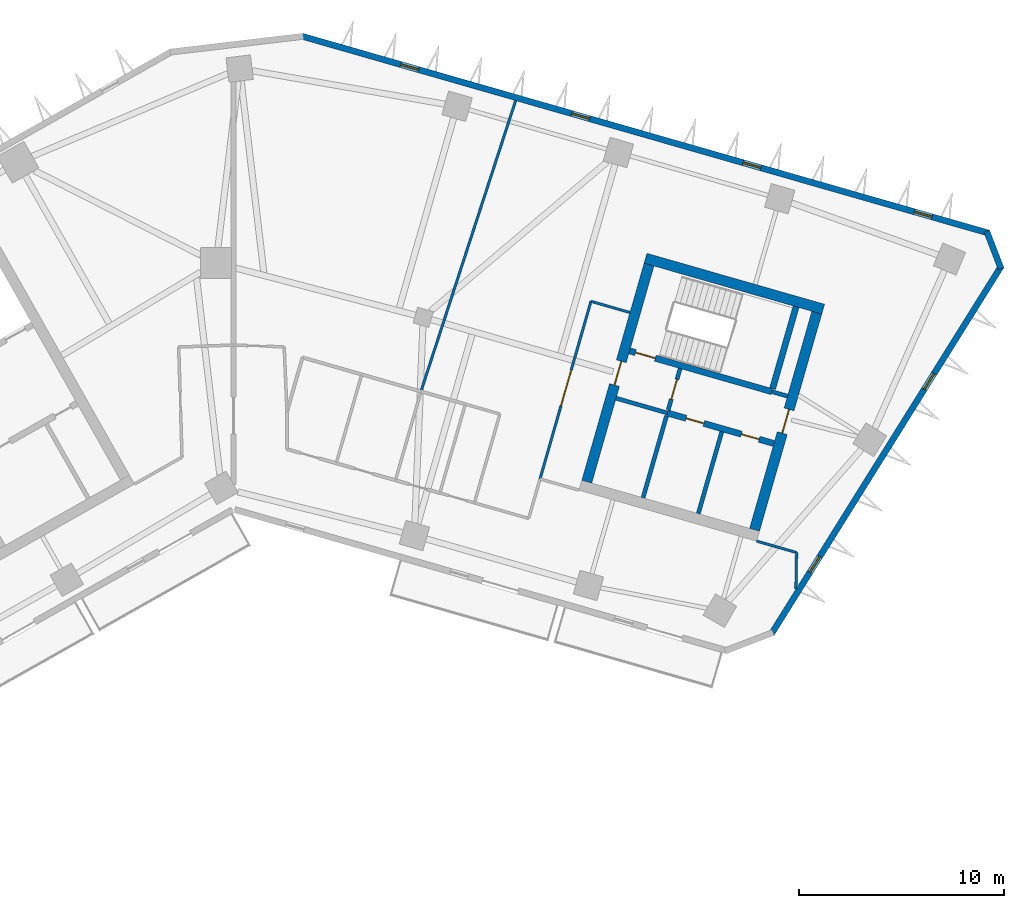
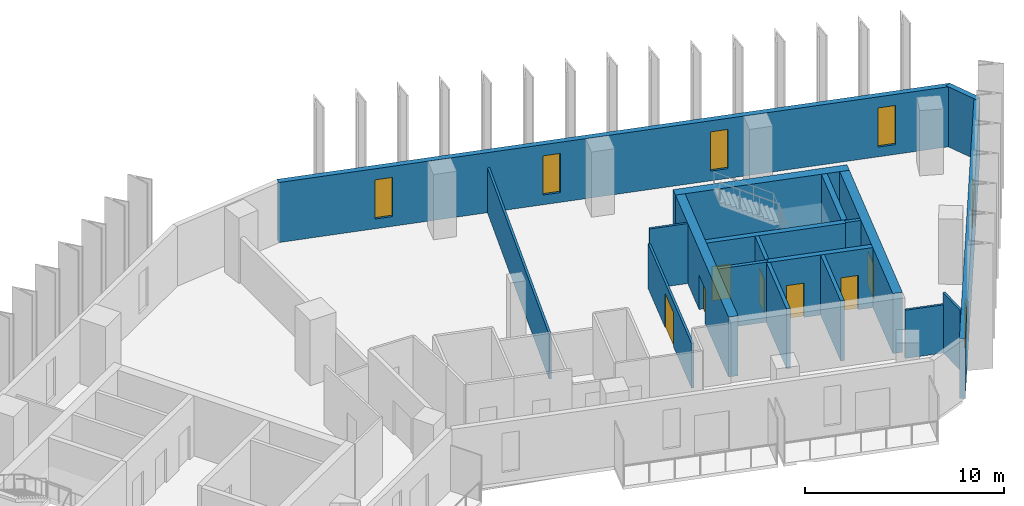
# One storey, part 6 of 10: 19 walls, 7 doors, 6 windows, 13 openings.
"""IFC4 building model written with IfcOpenShell, lengths in metres."""

from ifc_helpers import new_model, si_unit, direction, frame, frame_2d, origin, place, context, subcontext, project, spatial, rectangle, extrude, material, layer, layer_set, type_object, element, fill, save


model = new_model("IFC4")

# Units and contexts
model_context = context("Model", 3, precision=1e-05, world=origin(), true_north=direction((0.0, 1.0)))
body_context = subcontext(model_context, "Body", "Model", "MODEL_VIEW")
ifc_project = project(units=[si_unit("LENGTHUNIT", "METRE"), si_unit("AREAUNIT", "SQUARE_METRE"), si_unit("VOLUMEUNIT", "CUBIC_METRE"), si_unit("PLANEANGLEUNIT", "RADIAN"), si_unit("MASSUNIT", "GRAM", prefix="KILO")], contexts=[model_context])

# Site, building, storey
site_placement = place(None, origin())
site = spatial("IfcSite", under=ifc_project, at=site_placement, CompositionType="ELEMENT")
building_placement = place(site_placement, origin())
building = spatial("IfcBuilding", under=site, at=building_placement, Name="Binnacle Exchange Tower", CompositionType="ELEMENT")
storey_placement = place(building_placement, frame((0.0, 0.0, 178.89990234375)))
storey = spatial("IfcBuildingStorey", under=building, at=storey_placement, Name="L38", CompositionType="ELEMENT", Elevation=178.89990234375)

# Wall
ifc_material_1 = material(Name="Gypsum partition fire rated")
ifc_layer_1 = layer(ifc_material_1, 0.199951171875)
ifc_layer_set_1 = layer_set([ifc_layer_1], Name="Core partition 200")
wall_type_1 = type_object("IfcWallType", Name="Core partition 200", PredefinedType="PARTITIONING", material=ifc_layer_set_1)
wall_1_placement = place(storey_placement, frame((22.63720703125, 47.787353515625, 0.0), z_axis=(0.0, 0.0, 1.0), x_axis=(0.275614546295, 0.961268236171, 0.0)))
element("IfcWall", 1, at=wall_1_placement, inside=storey, type_object=wall_type_1, Name="Core wall CRWD10", PredefinedType="PARTITIONING", context=body_context, shape_type="SweptSolid", body=[
    extrude(rectangle(XDim=4.14990234375, YDim=0.199951171875, at=frame_2d((2.074951171875, 0.0))), origin(), (0.0, 0.0, 1.0), 3.68017578125),
])

# Wall, openings, doors
ifc_material_2 = material(Name="Concrete C70/85", Category="concrete")
ifc_layer_2 = layer(ifc_material_2, 0.300048828125)
ifc_layer_set_2 = layer_set([ifc_layer_2], Name="Core wall - front 300")
wall_type_2 = type_object("IfcWallType", Name="Core wall - front 300", PredefinedType="SOLIDWALL", material=ifc_layer_set_2)
wall_2_placement = place(storey_placement, frame((21.130859375, 52.6923828125, 0.0), z_axis=(0.0, 0.0, 1.0), x_axis=(0.961271043721, -0.27560475414, 0.0)))
wall_2 = element("IfcWall", 2, at=wall_2_placement, inside=storey, type_object=wall_type_2, Name="Core wall CRWD3", PredefinedType="SOLIDWALL", context=body_context, shape_type="SweptSolid", body=[
    extrude(rectangle(XDim=5.400146484375, YDim=0.300048828125, at=frame_2d((2.7001953125, 0.0))), origin(), (0.0, 0.0, 1.0), 3.68017578125),
])
opening_1_placement = place(wall_2_placement, frame((0.949951171875, 0.0, 0.0)))
opening_1 = element("IfcOpeningElement", 3, at=opening_1_placement, cuts=wall_2, Name="Opening DD10", PredefinedType="OPENING", context=body_context, shape_type="SweptSolid", body=[
    extrude(rectangle(XDim=0.89990234375, YDim=2.10009765625, at=frame_2d((0.449951171875, 1.050048828125))), frame((0.0, 0.159912109375, 0.0), z_axis=(0.0, -1.0, 0.0), x_axis=(1.0, 0.0, 0.0)), (0.0, 0.0, 1.0), 0.320068359375),
])
opening_2_placement = place(wall_2_placement, frame((3.75, 0.0, 0.0)))
opening_2 = element("IfcOpeningElement", 4, at=opening_2_placement, cuts=wall_2, Name="Opening DD11", PredefinedType="OPENING", context=body_context, shape_type="SweptSolid", body=[
    extrude(rectangle(XDim=0.89990234375, YDim=2.10009765625, at=frame_2d((0.449951171875, 1.050048828125))), frame((0.0, 0.159912109375, 0.0), z_axis=(0.0, -1.0, 0.0), x_axis=(1.0, 0.0, 0.0)), (0.0, 0.0, 1.0), 0.320068359375),
])
ifc_material_3 = material(Name="Steel door leaf", Category="steel")
door_type_1 = type_object("IfcDoorType", Name="Fire door 900", OperationType="NOTDEFINED", PredefinedType="DOOR", material=ifc_material_3)
door_1_placement = place(opening_1_placement, frame((0.89990234375, 0.0, 0.0), z_axis=(0.0, 0.0, 1.0), x_axis=(-1.0, 0.0, 0.0)))
door_1 = element("IfcDoor", 5, at=door_1_placement, inside=storey, type_object=door_type_1, Name="Core room door IT STORE", OperationType="SINGLE_SWING_RIGHT", OverallHeight=2.10009765625, OverallWidth=0.89990234375, PredefinedType="DOOR", context=body_context, shape_type="SweptSolid", body=[
    extrude(rectangle(XDim=0.89990234375, YDim=2.10009765625, at=frame_2d((0.449951171875, 1.050048828125))), frame((0.0, 0.02490234375, 0.0), z_axis=(0.0, -1.0, 0.0), x_axis=(1.0, 0.0, 0.0)), (0.0, 0.0, 1.0), 0.050048828125),
])
fill(opening_1, door_1)
door_2_placement = place(opening_2_placement, frame((0.89990234375, 0.0, 0.0), z_axis=(0.0, 0.0, 1.0), x_axis=(-1.0, 0.0, 0.0)))
door_2 = element("IfcDoor", 6, at=door_2_placement, inside=storey, type_object=door_type_1, Name="Core room door UPS CUPBOARD", OperationType="SINGLE_SWING_LEFT", OverallHeight=2.10009765625, OverallWidth=0.89990234375, PredefinedType="DOOR", context=body_context, shape_type="SweptSolid", body=[
    extrude(rectangle(XDim=0.89990234375, YDim=2.10009765625, at=frame_2d((0.449951171875, 1.050048828125))), frame((0.0, 0.02490234375, 0.0), z_axis=(0.0, -1.0, 0.0), x_axis=(1.0, 0.0, 0.0)), (0.0, 0.0, 1.0), 0.050048828125),
])
fill(opening_2, door_2)

# Wall
ifc_layer_3 = layer(ifc_material_2, 0.5)
ifc_layer_set_3 = layer_set([ifc_layer_3], Name="Core wall - outer 500")
wall_type_3 = type_object("IfcWallType", Name="Core wall - outer 500", PredefinedType="SOLIDWALL", material=ifc_layer_set_3)
wall_3_placement = place(storey_placement, frame((20.066650390625, 60.227783203125, 0.0), z_axis=(0.0, 0.0, 1.0), x_axis=(0.96126248289, -0.275634611374, 0.0)))
element("IfcWall", 7, at=wall_3_placement, inside=storey, type_object=wall_type_3, Name="Core wall CRWD6", PredefinedType="SOLIDWALL", context=body_context, shape_type="SweptSolid", body=[
    extrude(rectangle(XDim=9.0, YDim=0.5, at=frame_2d((4.5, 0.0))), origin(), (0.0, 0.0, 1.0), 3.68017578125),
])

# Wall, opening, door
wall_4_placement = place(storey_placement, frame((17.2060546875, 49.344482421875, 0.0), z_axis=(0.0, 0.0, 1.0), x_axis=(0.275632651182, 0.961263044958, 0.0)))
wall_4 = element("IfcWall", 8, at=wall_4_placement, inside=storey, type_object=wall_type_3, Name="Core wall CRWD7", PredefinedType="SOLIDWALL", context=body_context, shape_type="SweptSolid", body=[
    extrude(rectangle(XDim=11.0, YDim=0.5, at=frame_2d((5.5, 0.0))), origin(), (0.0, 0.0, 1.0), 3.68017578125),
])
opening_3_placement = place(wall_4_placement, frame((4.89990234375, 0.0, 0.0)))
opening_3 = element("IfcOpeningElement", 9, at=opening_3_placement, cuts=wall_4, Name="Opening DD5", PredefinedType="OPENING", context=body_context, shape_type="SweptSolid", body=[
    extrude(rectangle(XDim=1.199951171875, YDim=2.10009765625, at=frame_2d((0.60009765625, 1.050048828125))), frame((0.0, 0.260009765625, 0.0), z_axis=(0.0, -1.0, 0.0), x_axis=(1.0, 0.0, 0.0)), (0.0, 0.0, 1.0), 0.52001953125),
])
door_type_2 = type_object("IfcDoorType", Name="Fire door 1200", OperationType="NOTDEFINED", PredefinedType="DOOR", material=ifc_material_3)
door_3_placement = place(opening_3_placement, origin())
door_3 = element("IfcDoor", 10, at=door_3_placement, inside=storey, type_object=door_type_2, Name="Vestibule exit door VEST-W", OperationType="SINGLE_SWING_LEFT", OverallHeight=2.10009765625, OverallWidth=1.199951171875, PredefinedType="DOOR", context=body_context, shape_type="SweptSolid", body=[
    extrude(rectangle(XDim=1.199951171875, YDim=2.10009765625, at=frame_2d((0.60009765625, 1.050048828125))), frame((0.0, 0.02490234375, 0.0), z_axis=(0.0, -1.0, 0.0), x_axis=(1.0, 0.0, 0.0)), (0.0, 0.0, 1.0), 0.050048828125),
])
fill(opening_3, door_3)

wall_5_placement = place(storey_placement, frame((25.376708984375, 47.001708984375, 0.0), z_axis=(0.0, 0.0, 1.0), x_axis=(0.275632651182, 0.961263044958, 0.0)))
wall_5 = element("IfcWall", 11, at=wall_5_placement, inside=storey, type_object=wall_type_3, Name="Core wall CRWD12", PredefinedType="SOLIDWALL", context=body_context, shape_type="SweptSolid", body=[
    extrude(rectangle(XDim=11.0, YDim=0.5, at=frame_2d((5.5, 0.0))), origin(), (0.0, 0.0, 1.0), 3.68017578125),
])
opening_4_placement = place(wall_5_placement, frame((4.89990234375, 0.0, 0.0)))
opening_4 = element("IfcOpeningElement", 12, at=opening_4_placement, cuts=wall_5, Name="Opening DD6", PredefinedType="OPENING", context=body_context, shape_type="SweptSolid", body=[
    extrude(rectangle(XDim=1.199951171875, YDim=2.10009765625, at=frame_2d((0.60009765625, 1.050048828125))), frame((0.0, 0.260009765625, 0.0), z_axis=(0.0, -1.0, 0.0), x_axis=(1.0, 0.0, 0.0)), (0.0, 0.0, 1.0), 0.52001953125),
])
door_4_placement = place(opening_4_placement, frame((1.199951171875, 0.0, 0.0), z_axis=(0.0, 0.0, 1.0), x_axis=(-1.0, 0.0, 0.0)))
door_4 = element("IfcDoor", 13, at=door_4_placement, inside=storey, type_object=door_type_2, Name="Core passage exit door", OperationType="SINGLE_SWING_RIGHT", OverallHeight=2.10009765625, OverallWidth=1.199951171875, PredefinedType="DOOR", context=body_context, shape_type="SweptSolid", body=[
    extrude(rectangle(XDim=1.199951171875, YDim=2.10009765625, at=frame_2d((0.60009765625, 1.050048828125))), frame((0.0, 0.02490234375, 0.0), z_axis=(0.0, -1.0, 0.0), x_axis=(1.0, 0.0, 0.0)), (0.0, 0.0, 1.0), 0.050048828125),
])
fill(opening_4, door_4)

ifc_layer_4 = layer(ifc_material_2, 0.300048828125)
ifc_layer_set_4 = layer_set([ifc_layer_4], Name="Core wall - stair 300")
wall_type_4 = type_object("IfcWallType", Name="Core wall - stair 300", PredefinedType="SOLIDWALL", material=ifc_layer_set_4)
wall_6_placement = place(storey_placement, frame((19.293212890625, 55.71630859375, 0.0), z_axis=(0.0, 0.0, 1.0), x_axis=(0.96125862491, -0.275648065539, 0.0)))
wall_6 = element("IfcWall", 14, at=wall_6_placement, inside=storey, type_object=wall_type_4, Name="Core wall CRWD4", PredefinedType="SOLIDWALL", context=body_context, shape_type="SweptSolid", body=[
    extrude(rectangle(XDim=7.199951171875, YDim=0.300048828125, at=frame_2d((3.60009765625, 0.0))), origin(), (0.0, 0.0, 1.0), 3.68017578125),
])
opening_5_placement = place(wall_6_placement, frame((0.300048828125, 0.0, 0.0)))
opening_5 = element("IfcOpeningElement", 15, at=opening_5_placement, cuts=wall_6, Name="Opening DD1", PredefinedType="OPENING", context=body_context, shape_type="SweptSolid", body=[
    extrude(rectangle(XDim=1.0, YDim=2.10009765625, at=frame_2d((0.5, 1.050048828125))), frame((0.0, 0.159912109375, 0.0), z_axis=(0.0, -1.0, 0.0), x_axis=(1.0, 0.0, 0.0)), (0.0, 0.0, 1.0), 0.320068359375),
])
door_type_3 = type_object("IfcDoorType", Name="Fire door 1000", OperationType="NOTDEFINED", PredefinedType="DOOR", material=ifc_material_3)
door_5_placement = place(opening_5_placement, origin())
door_5 = element("IfcDoor", 16, at=door_5_placement, inside=storey, type_object=door_type_3, Name="Stair door ST-D1", OperationType="SINGLE_SWING_LEFT", OverallHeight=2.10009765625, OverallWidth=1.0, PredefinedType="DOOR", context=body_context, shape_type="SweptSolid", body=[
    extrude(rectangle(XDim=1.0, YDim=2.10009765625, at=frame_2d((0.5, 1.050048828125))), frame((0.0, 0.02490234375, 0.0), z_axis=(0.0, -1.0, 0.0), x_axis=(1.0, 0.0, 0.0)), (0.0, 0.0, 1.0), 0.050048828125),
])
fill(opening_5, door_5)

# Wall
wall_7_placement = place(storey_placement, frame((26.255615234375, 53.875732421875, 0.0), z_axis=(0.0, 0.0, 1.0), x_axis=(0.275614546295, 0.961268236171, 0.0)))
element("IfcWall", 17, at=wall_7_placement, inside=storey, type_object=wall_type_4, Name="Core wall CRWD11", PredefinedType="SOLIDWALL", context=body_context, shape_type="SweptSolid", body=[
    extrude(rectangle(XDim=4.14990234375, YDim=0.300048828125, at=frame_2d((2.074951171875, 0.0))), origin(), (0.0, 0.0, 1.0), 3.68017578125),
])

# Wall, openings, windows
ifc_material_4 = material(Name="Bronze aluminium cladding", Category="aluminium")
ifc_layer_5 = layer(ifc_material_4, 0.300048828125)
ifc_layer_set_5 = layer_set([ifc_layer_5], Name="External wall - spandrel 300")
wall_type_5 = type_object("IfcWallType", Name="External wall - spandrel 300", PredefinedType="STANDARD", material=ifc_layer_set_5)
wall_8_placement = place(storey_placement, frame((37.39892578125, 59.850830078125, 0.0), z_axis=(0.0, 0.0, 1.0), x_axis=(-0.529919986982, -0.848047644532, 0.0)))
wall_8 = element("IfcWall", 18, at=wall_8_placement, inside=storey, type_object=wall_type_5, Name="External wall EW-G04 L38", PredefinedType="STANDARD", context=body_context, shape_type="SweptSolid", body=[
    extrude(rectangle(XDim=21.125, YDim=0.300048828125, at=frame_2d((10.5625, 0.0))), origin(), (0.0, 0.0, 1.0), 3.68017578125),
])
opening_6_placement = place(wall_8_placement, frame((16.687255859375, 0.0, 0.60009765625)))
opening_6 = element("IfcOpeningElement", 19, at=opening_6_placement, cuts=wall_8, Name="Opening WS3", PredefinedType="OPENING", context=body_context, shape_type="SweptSolid", body=[
    extrude(rectangle(XDim=0.89990234375, YDim=2.39990234375, at=frame_2d((0.449951171875, 1.199951171875))), frame((0.0, 0.159912109375, 0.0), z_axis=(0.0, -1.0, 0.0), x_axis=(1.0, 0.0, 0.0)), (0.0, 0.0, 1.0), 0.320068359375),
])
opening_7_placement = place(wall_8_placement, frame((6.187255859375, 0.0, 0.60009765625)))
opening_7 = element("IfcOpeningElement", 20, at=opening_7_placement, cuts=wall_8, Name="Opening WS3", PredefinedType="OPENING", context=body_context, shape_type="SweptSolid", body=[
    extrude(rectangle(XDim=0.89990234375, YDim=2.39990234375, at=frame_2d((0.449951171875, 1.199951171875))), frame((0.0, 0.159912109375, 0.0), z_axis=(0.0, -1.0, 0.0), x_axis=(1.0, 0.0, 0.0)), (0.0, 0.0, 1.0), 0.320068359375),
])
ifc_material_5 = material(Name="Bronze anodised aluminium frame", Category="aluminium")
window_type = type_object("IfcWindowType", Name="WS3 WINDOW 900x2400", PartitioningType="SINGLE_PANEL", PredefinedType="WINDOW", material=ifc_material_5)
window_1_placement = place(opening_6_placement, origin())
window_1 = element("IfcWindow", 21, at=window_1_placement, inside=storey, type_object=window_type, Name="Window WS3 L38", OverallHeight=2.39990234375, OverallWidth=0.89990234375, PartitioningType="SINGLE_PANEL", PredefinedType="WINDOW", context=body_context, shape_type="SweptSolid", body=[
    extrude(rectangle(XDim=0.89990234375, YDim=2.39990234375, at=frame_2d((0.449951171875, 1.199951171875))), frame((0.0, 0.030029296875, 0.0), z_axis=(0.0, -1.0, 0.0), x_axis=(1.0, 0.0, 0.0)), (0.0, 0.0, 1.0), 0.06005859375),
])
fill(opening_6, window_1)
window_2_placement = place(opening_7_placement, origin())
window_2 = element("IfcWindow", 22, at=window_2_placement, inside=storey, type_object=window_type, Name="Window WS3 L38", OverallHeight=2.39990234375, OverallWidth=0.89990234375, PartitioningType="SINGLE_PANEL", PredefinedType="WINDOW", context=body_context, shape_type="SweptSolid", body=[
    extrude(rectangle(XDim=0.89990234375, YDim=2.39990234375, at=frame_2d((0.449951171875, 1.199951171875))), frame((0.0, 0.030029296875, 0.0), z_axis=(0.0, -1.0, 0.0), x_axis=(1.0, 0.0, 0.0)), (0.0, 0.0, 1.0), 0.06005859375),
])
fill(opening_7, window_2)

# Wall
wall_9_placement = place(storey_placement, frame((36.685546875, 61.542724609375, 0.0), z_axis=(0.0, 0.0, 1.0), x_axis=(0.358284408222, -0.933612490718, 0.0)))
element("IfcWall", 23, at=wall_9_placement, inside=storey, type_object=wall_type_5, Name="External wall EW-G05 L38", PredefinedType="STANDARD", context=body_context, shape_type="SweptSolid", body=[
    extrude(rectangle(XDim=1.955078125, YDim=0.300048828125, at=frame_2d((0.9775390625, 0.0))), origin(), (0.0, 0.0, 1.0), 3.68017578125),
])

# Wall, openings, windows
wall_10_placement = place(storey_placement, frame((3.33544921875, 71.043701171875, 0.0), z_axis=(0.0, 0.0, 1.0), x_axis=(0.961261395375, -0.275638404002, 0.0)))
wall_10 = element("IfcWall", 24, at=wall_10_placement, inside=storey, type_object=wall_type_5, Name="External wall EW-G06 L38", PredefinedType="STANDARD", context=body_context, shape_type="SweptSolid", body=[
    extrude(rectangle(XDim=34.796630859375, YDim=0.300048828125, at=frame_2d((17.3984375, 0.0))), origin(), (0.0, 0.0, 1.0), 3.68017578125),
])
opening_8_placement = place(wall_10_placement, frame((31.01953125, 0.0, 0.60009765625)))
opening_8 = element("IfcOpeningElement", 25, at=opening_8_placement, cuts=wall_10, Name="Opening WS3", PredefinedType="OPENING", context=body_context, shape_type="SweptSolid", body=[
    extrude(rectangle(XDim=0.89990234375, YDim=2.39990234375, at=frame_2d((0.449951171875, 1.199951171875))), frame((0.0, 0.159912109375, 0.0), z_axis=(0.0, -1.0, 0.0), x_axis=(1.0, 0.0, 0.0)), (0.0, 0.0, 1.0), 0.320068359375),
])
opening_9_placement = place(wall_10_placement, frame((22.3466796875, 0.0, 0.60009765625)))
opening_9 = element("IfcOpeningElement", 26, at=opening_9_placement, cuts=wall_10, Name="Opening WS3", PredefinedType="OPENING", context=body_context, shape_type="SweptSolid", body=[
    extrude(rectangle(XDim=0.89990234375, YDim=2.39990234375, at=frame_2d((0.449951171875, 1.199951171875))), frame((0.0, 0.159912109375, 0.0), z_axis=(0.0, -1.0, 0.0), x_axis=(1.0, 0.0, 0.0)), (0.0, 0.0, 1.0), 0.320068359375),
])
opening_10_placement = place(wall_10_placement, frame((13.673583984375, 0.0, 0.60009765625)))
opening_10 = element("IfcOpeningElement", 27, at=opening_10_placement, cuts=wall_10, Name="Opening WS3", PredefinedType="OPENING", context=body_context, shape_type="SweptSolid", body=[
    extrude(rectangle(XDim=0.89990234375, YDim=2.39990234375, at=frame_2d((0.449951171875, 1.199951171875))), frame((0.0, 0.159912109375, 0.0), z_axis=(0.0, -1.0, 0.0), x_axis=(1.0, 0.0, 0.0)), (0.0, 0.0, 1.0), 0.320068359375),
])
opening_11_placement = place(wall_10_placement, frame((5.000732421875, 0.0, 0.60009765625)))
opening_11 = element("IfcOpeningElement", 28, at=opening_11_placement, cuts=wall_10, Name="Opening WS3", PredefinedType="OPENING", context=body_context, shape_type="SweptSolid", body=[
    extrude(rectangle(XDim=0.89990234375, YDim=2.39990234375, at=frame_2d((0.449951171875, 1.199951171875))), frame((0.0, 0.159912109375, 0.0), z_axis=(0.0, -1.0, 0.0), x_axis=(1.0, 0.0, 0.0)), (0.0, 0.0, 1.0), 0.320068359375),
])
window_3_placement = place(opening_8_placement, origin())
window_3 = element("IfcWindow", 29, at=window_3_placement, inside=storey, type_object=window_type, Name="Window WS3 L38", OverallHeight=2.39990234375, OverallWidth=0.89990234375, PartitioningType="SINGLE_PANEL", PredefinedType="WINDOW", context=body_context, shape_type="SweptSolid", body=[
    extrude(rectangle(XDim=0.89990234375, YDim=2.39990234375, at=frame_2d((0.449951171875, 1.199951171875))), frame((0.0, 0.030029296875, 0.0), z_axis=(0.0, -1.0, 0.0), x_axis=(1.0, 0.0, 0.0)), (0.0, 0.0, 1.0), 0.06005859375),
])
fill(opening_8, window_3)
window_4_placement = place(opening_9_placement, origin())
window_4 = element("IfcWindow", 30, at=window_4_placement, inside=storey, type_object=window_type, Name="Window WS3 L38", OverallHeight=2.39990234375, OverallWidth=0.89990234375, PartitioningType="SINGLE_PANEL", PredefinedType="WINDOW", context=body_context, shape_type="SweptSolid", body=[
    extrude(rectangle(XDim=0.89990234375, YDim=2.39990234375, at=frame_2d((0.449951171875, 1.199951171875))), frame((0.0, 0.030029296875, 0.0), z_axis=(0.0, -1.0, 0.0), x_axis=(1.0, 0.0, 0.0)), (0.0, 0.0, 1.0), 0.06005859375),
])
fill(opening_9, window_4)
window_5_placement = place(opening_10_placement, origin())
window_5 = element("IfcWindow", 31, at=window_5_placement, inside=storey, type_object=window_type, Name="Window WS3 L38", OverallHeight=2.39990234375, OverallWidth=0.89990234375, PartitioningType="SINGLE_PANEL", PredefinedType="WINDOW", context=body_context, shape_type="SweptSolid", body=[
    extrude(rectangle(XDim=0.89990234375, YDim=2.39990234375, at=frame_2d((0.449951171875, 1.199951171875))), frame((0.0, 0.030029296875, 0.0), z_axis=(0.0, -1.0, 0.0), x_axis=(1.0, 0.0, 0.0)), (0.0, 0.0, 1.0), 0.06005859375),
])
fill(opening_10, window_5)
window_6_placement = place(opening_11_placement, origin())
window_6 = element("IfcWindow", 32, at=window_6_placement, inside=storey, type_object=window_type, Name="Window WS3 L38", OverallHeight=2.39990234375, OverallWidth=0.89990234375, PartitioningType="SINGLE_PANEL", PredefinedType="WINDOW", context=body_context, shape_type="SweptSolid", body=[
    extrude(rectangle(XDim=0.89990234375, YDim=2.39990234375, at=frame_2d((0.449951171875, 1.199951171875))), frame((0.0, 0.030029296875, 0.0), z_axis=(0.0, -1.0, 0.0), x_axis=(1.0, 0.0, 0.0)), (0.0, 0.0, 1.0), 0.06005859375),
])
fill(opening_11, window_6)

# Wall, opening, door
ifc_material_6 = material(Name="Masonry block wall", Category="masonry")
ifc_layer_6 = layer(ifc_material_6, 0.199951171875)
ifc_layer_set_6 = layer_set([ifc_layer_6], Name="Fire wall - vestibule 200")
wall_type_6 = type_object("IfcWallType", Name="Fire wall - vestibule 200", PredefinedType="PARTITIONING", material=ifc_layer_set_6)
wall_11_placement = place(storey_placement, frame((21.172119140625, 52.836669921875, 0.0), z_axis=(0.0, 0.0, 1.0), x_axis=(0.275657676022, 0.961255868981, 0.0)))
wall_11 = element("IfcWall", 33, at=wall_11_placement, inside=storey, type_object=wall_type_6, Name="Core wall CRWD9", PredefinedType="PARTITIONING", context=body_context, shape_type="SweptSolid", body=[
    extrude(rectangle(XDim=2.099853515625, YDim=0.199951171875, at=frame_2d((1.0498046875, 0.0))), origin(), (0.0, 0.0, 1.0), 3.68017578125),
])
opening_12_placement = place(wall_11_placement, frame((0.550048828125, 0.0, 0.0)))
opening_12 = element("IfcOpeningElement", 34, at=opening_12_placement, cuts=wall_11, Name="Opening DD3", PredefinedType="OPENING", context=body_context, shape_type="SweptSolid", body=[
    extrude(rectangle(XDim=1.0, YDim=2.10009765625, at=frame_2d((0.5, 1.050048828125))), frame((0.0, 0.10986328125, 0.0), z_axis=(0.0, -1.0, 0.0), x_axis=(1.0, 0.0, 0.0)), (0.0, 0.0, 1.0), 0.219970703125),
])
door_6_placement = place(opening_12_placement, origin())
door_6 = element("IfcDoor", 35, at=door_6_placement, inside=storey, type_object=door_type_3, Name="Vestibule door VEST-W", OperationType="SINGLE_SWING_RIGHT", OverallHeight=2.10009765625, OverallWidth=1.0, PredefinedType="DOOR", context=body_context, shape_type="SweptSolid", body=[
    extrude(rectangle(XDim=1.0, YDim=2.10009765625, at=frame_2d((0.5, 1.050048828125))), frame((0.0, 0.02490234375, 0.0), z_axis=(0.0, -1.0, 0.0), x_axis=(1.0, 0.0, 0.0)), (0.0, 0.0, 1.0), 0.050048828125),
])
fill(opening_12, door_6)

# Wall
ifc_material_7 = material(Name="Gypsum partition")
ifc_layer_7 = layer(ifc_material_7, 0.125)
ifc_layer_set_7 = layer_set([ifc_layer_7], Name="Partition 125")
wall_type_7 = type_object("IfcWallType", Name="Partition 125", PredefinedType="PARTITIONING", material=ifc_layer_set_7)
wall_12_placement = place(storey_placement, frame((9.12890625, 53.740966796875, 0.0), z_axis=(0.0, 0.0, 1.0), x_axis=(0.309576741849, 0.950874461171, 0.0)))
element("IfcWall", 36, at=wall_12_placement, inside=storey, type_object=wall_type_7, Name="Partition W24", PredefinedType="PARTITIONING", context=body_context, shape_type="SweptSolid", body=[
    extrude(rectangle(XDim=14.894775390625, YDim=0.125, at=frame_2d((7.447265625, 0.0))), origin(), (0.0, 0.0, 1.0), 2.748046875),
])

# Wall, opening, door
wall_13_placement = place(storey_placement, frame((14.927978515625, 49.47802734375, 0.0), z_axis=(0.0, 0.0, 1.0), x_axis=(0.275674053528, 0.961251172281, 0.0)))
wall_13 = element("IfcWall", 37, at=wall_13_placement, inside=storey, type_object=wall_type_7, Name="Partition W32", PredefinedType="PARTITIONING", context=body_context, shape_type="SweptSolid", body=[
    extrude(rectangle(XDim=8.99951171875, YDim=0.125, at=frame_2d((4.499755859375, 0.0))), origin(), (0.0, 0.0, 1.0), 2.748046875),
])
opening_13_placement = place(wall_13_placement, frame((3.699951171875, 0.0, 0.0)))
opening_13 = element("IfcOpeningElement", 38, at=opening_13_placement, cuts=wall_13, Name="Opening DL38-09", PredefinedType="OPENING", context=body_context, shape_type="SweptSolid", body=[
    extrude(rectangle(XDim=1.800048828125, YDim=2.10009765625, at=frame_2d((0.89990234375, 1.050048828125))), frame((0.0, 0.072509765625, 0.0), z_axis=(0.0, -1.0, 0.0), x_axis=(1.0, 0.0, 0.0)), (0.0, 0.0, 1.0), 0.14501953125),
])
ifc_material_8 = material(Name="Timber door leaf", Category="wood")
door_type_4 = type_object("IfcDoorType", Name="Double door 1800", OperationType="NOTDEFINED", PredefinedType="DOOR", material=ifc_material_8)
door_7_placement = place(opening_13_placement, origin())
door_7 = element("IfcDoor", 39, at=door_7_placement, inside=storey, type_object=door_type_4, Name="Door DL38-09", OperationType="DOUBLE_DOOR_SINGLE_SWING", OverallHeight=2.10009765625, OverallWidth=1.800048828125, PredefinedType="DOOR", context=body_context, shape_type="SweptSolid", body=[
    extrude(rectangle(XDim=1.800048828125, YDim=2.10009765625, at=frame_2d((0.89990234375, 1.050048828125))), frame((0.0, 0.02490234375, 0.0), z_axis=(0.0, -1.0, 0.0), x_axis=(1.0, 0.0, 0.0)), (0.0, 0.0, 1.0), 0.050048828125),
])
fill(opening_13, door_7)

# Walls
wall_14_placement = place(storey_placement, frame((17.408935546875, 58.12890625, 0.0), z_axis=(0.0, 0.0, 1.0), x_axis=(0.961253165474, -0.275667103345, 0.0)))
element("IfcWall", 40, at=wall_14_placement, inside=storey, type_object=wall_type_7, Name="Partition W33", PredefinedType="PARTITIONING", context=body_context, shape_type="SweptSolid", body=[
    extrude(rectangle(XDim=1.976806640625, YDim=0.125, at=frame_2d((0.98828125, 0.0))), origin(), (0.0, 0.0, 1.0), 3.68017578125),
])
wall_15_placement = place(storey_placement, frame((25.47900390625, 46.451904296875, 0.0), z_axis=(0.0, 0.0, 1.0), x_axis=(0.961245725795, -0.275693044238, 0.0)))
element("IfcWall", 41, at=wall_15_placement, inside=storey, type_object=wall_type_7, Name="Partition W34", PredefinedType="PARTITIONING", context=body_context, shape_type="SweptSolid", body=[
    extrude(rectangle(XDim=2.0234375, YDim=0.125, at=frame_2d((1.01171875, 0.0))), origin(), (0.0, 0.0, 1.0), 2.9521484375),
])
wall_16_placement = place(storey_placement, frame((27.39111328125, 44.116943359375, 0.0), z_axis=(0.0, 0.0, 1.0), x_axis=(0.018543314717, 0.999828057958, 0.0)))
element("IfcWall", 42, at=wall_16_placement, inside=storey, type_object=wall_type_7, Name="Partition W35", PredefinedType="PARTITIONING", context=body_context, shape_type="SweptSolid", body=[
    extrude(rectangle(XDim=1.77734375, YDim=0.125, at=frame_2d((0.888671875, 0.0))), origin(), (0.0, 0.0, 1.0), 3.68017578125),
])
ifc_layer_8 = layer(ifc_material_6, 0.199951171875)
ifc_layer_set_8 = layer_set([ifc_layer_8], Name="Riser wall 200")
wall_type_8 = type_object("IfcWallType", Name="Riser wall 200", PredefinedType="SOLIDWALL", material=ifc_layer_set_8)
wall_17_placement = place(storey_placement, frame((18.631591796875, 53.4091796875, 0.0), z_axis=(0.0, 0.0, 1.0), x_axis=(0.961247078216, -0.275688328772, 0.0)))
element("IfcWall", 43, at=wall_17_placement, inside=storey, type_object=wall_type_8, Name="Core wall CRWD2", PredefinedType="SOLIDWALL", context=body_context, shape_type="SweptSolid", body=[
    extrude(rectangle(XDim=2.60009765625, YDim=0.199951171875, at=frame_2d((1.300048828125, 0.0))), origin(), (0.0, 0.0, 1.0), 3.68017578125),
])
wall_18_placement = place(storey_placement, frame((26.214111328125, 53.731689453125, 0.0), z_axis=(0.0, 0.0, 1.0), x_axis=(0.961200870072, -0.275849392554, 0.0)))
element("IfcWall", 44, at=wall_18_placement, inside=storey, type_object=wall_type_8, Name="Core wall CRWD5", PredefinedType="SOLIDWALL", context=body_context, shape_type="SweptSolid", body=[
    extrude(rectangle(XDim=0.800048828125, YDim=0.199951171875, at=frame_2d((0.39990234375, 0.0))), origin(), (0.0, 0.0, 1.0), 3.68017578125),
])
wall_19_placement = place(storey_placement, frame((19.945556640625, 48.55908203125, 0.0), z_axis=(0.0, 0.0, 1.0), x_axis=(0.275668905258, 0.961252648721, 0.0)))
element("IfcWall", 45, at=wall_19_placement, inside=storey, type_object=wall_type_8, Name="Core wall CRWD8", PredefinedType="SOLIDWALL", context=body_context, shape_type="SweptSolid", body=[
    extrude(rectangle(XDim=4.150146484375, YDim=0.199951171875, at=frame_2d((2.0751953125, 0.0))), origin(), (0.0, 0.0, 1.0), 3.68017578125),
])

save(model, "model.ifc")
